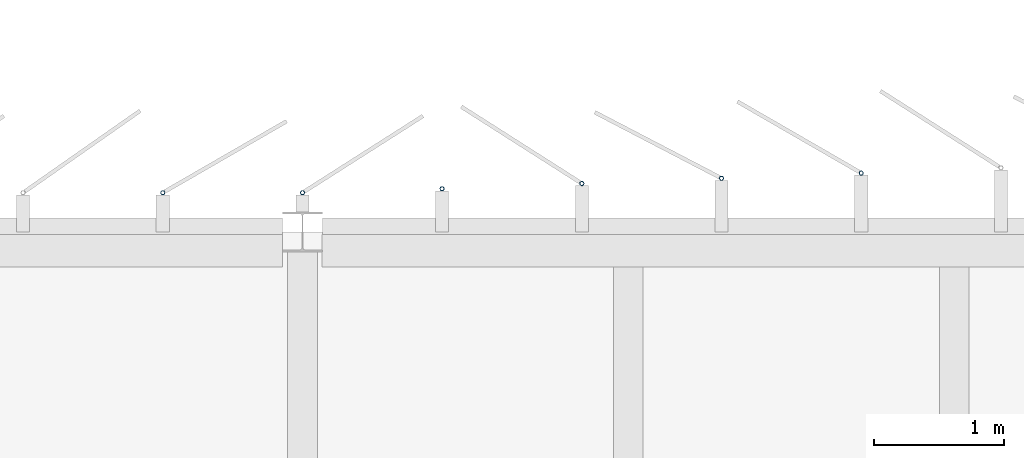
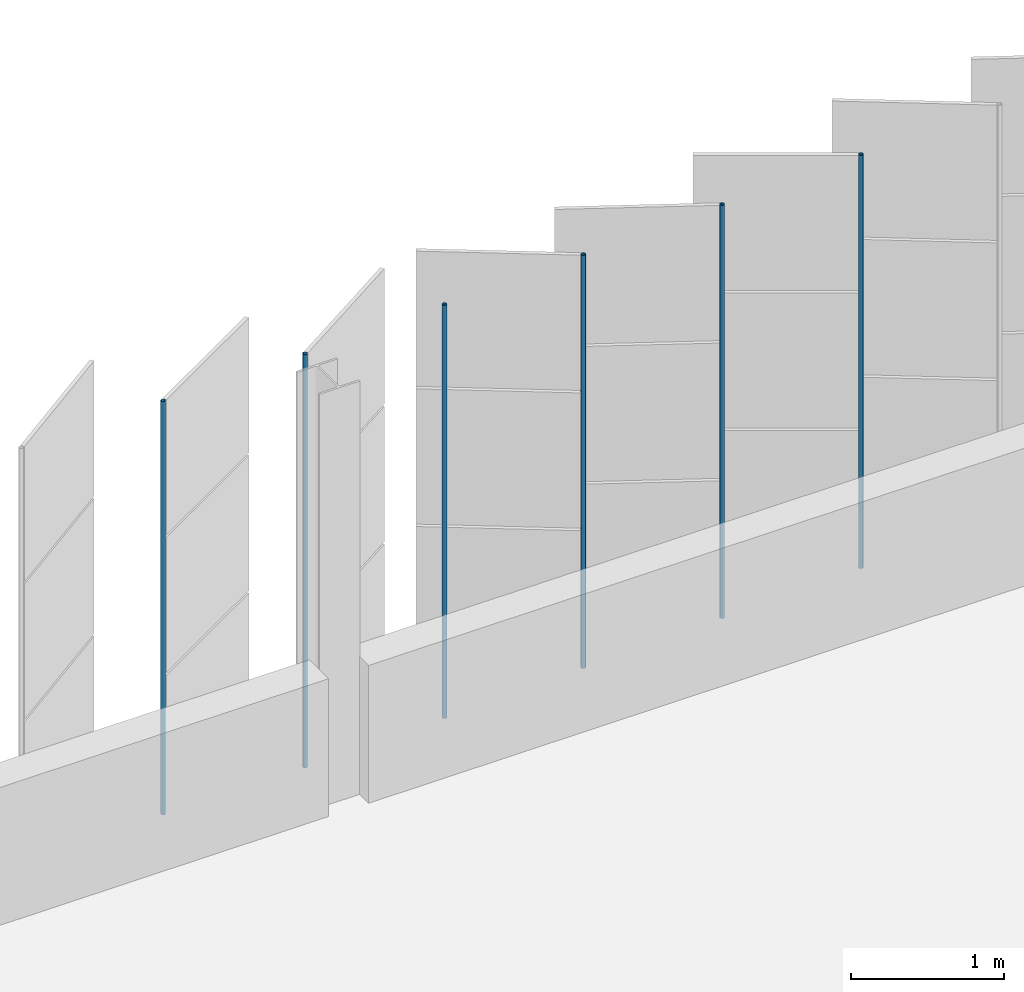
# One storey, part 154 of 199: 6 discrete accessories.
"""IFC4 building model written with IfcOpenShell, lengths in metres."""

from ifc_helpers import new_model, si_unit, direction, frame, origin, origin_2d, place, context, subcontext, project, spatial, hollow_circle, extrude, material, material_profile, profile_set, type_object, element, save


model = new_model("IFC4")

# Units and contexts
model_context = context("Model", 3, precision=1e-05, world=origin(), true_north=direction((0.0, 1.0)))
body_context = subcontext(model_context, "Body", "Model", "MODEL_VIEW")
ifc_project = project(units=[si_unit("LENGTHUNIT", "METRE"), si_unit("AREAUNIT", "SQUARE_METRE"), si_unit("VOLUMEUNIT", "CUBIC_METRE"), si_unit("PLANEANGLEUNIT", "RADIAN"), si_unit("MASSUNIT", "GRAM", prefix="KILO")], contexts=[model_context])

# Site, building, storey
site_placement = place(None, origin())
site = spatial("IfcSite", under=ifc_project, at=site_placement, CompositionType="ELEMENT")
building_placement = place(site_placement, origin())
building = spatial("IfcBuilding", under=site, at=building_placement, Name="Parallax Yard Mobility Hub", CompositionType="ELEMENT")
storey_placement = place(building_placement, frame((0.0, 0.0, 9.89990234375)))
storey = spatial("IfcBuildingStorey", under=building, at=storey_placement, Name="L03", CompositionType="ELEMENT", Elevation=9.89990234375)

# Discrete accessories
ifc_material = material(Name="Steel ASTM A500 Gr C, hot-dip galvanised", Category="steel")
ifc_material_profile = material_profile(ifc_material, hollow_circle(Radius=0.016845703125, WallThickness=0.003173828125, at=origin_2d()), Name="CHS 33.7x3.2")
ifc_profile_set = profile_set([ifc_material_profile], Name="Steel ASTM A500 Gr C, hot-dip galvanised")
discrete_accessory_type = type_object("IfcDiscreteAccessoryType", Name="Hinge post CHS 33.7x3.2", PredefinedType="BRACKET", material=ifc_profile_set)
for number, where, z_axis, x_axis, name in (
    (1, (161.786376953125, 142.950927734375, 0.0), (0.0, 0.0, 1.0), (1.0, 0.0, 0.0), "Hinge post bay 52.4 level L03"),
    (2, (160.71484375, 142.910888671875, 0.0), (0.0, 0.0, 1.0), (1.0, 0.0, 0.0), "Hinge post bay 52.5 level L03"),
    (3, (159.643310546875, 142.870849609375, 0.0), (0.0, 0.0, 1.0), (1.0, 0.0, 0.0), "Hinge post bay 52.6 level L03"),
    (4, (158.571533203125, 142.830810546875, 0.0), (0.0, 0.0, 1.0), (1.0, 0.0, 0.0), "Hinge post bay 52.7 level L03"),
    (5, (157.5, 142.800048828125, 0.0), (0.0, 0.0, 1.0), (1.0, 0.0, 0.0), "Hinge post bay 53.1 level L03"),
    (6, (156.428466796875, 142.800048828125, 0.0), (0.0, 0.0, 1.0), (1.0, 0.0, 0.0), "Hinge post bay 53.2 level L03"),
):
    element("IfcDiscreteAccessory", number, at=place(storey_placement, frame(where, z_axis=z_axis, x_axis=x_axis)), inside=storey, type_object=discrete_accessory_type, Name=name, PredefinedType="BRACKET", context=body_context, shape_type="SweptSolid", body=[
        extrude(hollow_circle(Radius=0.016845703125, WallThickness=0.003173828125, at=origin_2d()), origin(), (0.0, 0.0, 1.0), 3.300048828125),
    ])

save(model, "model.ifc")
